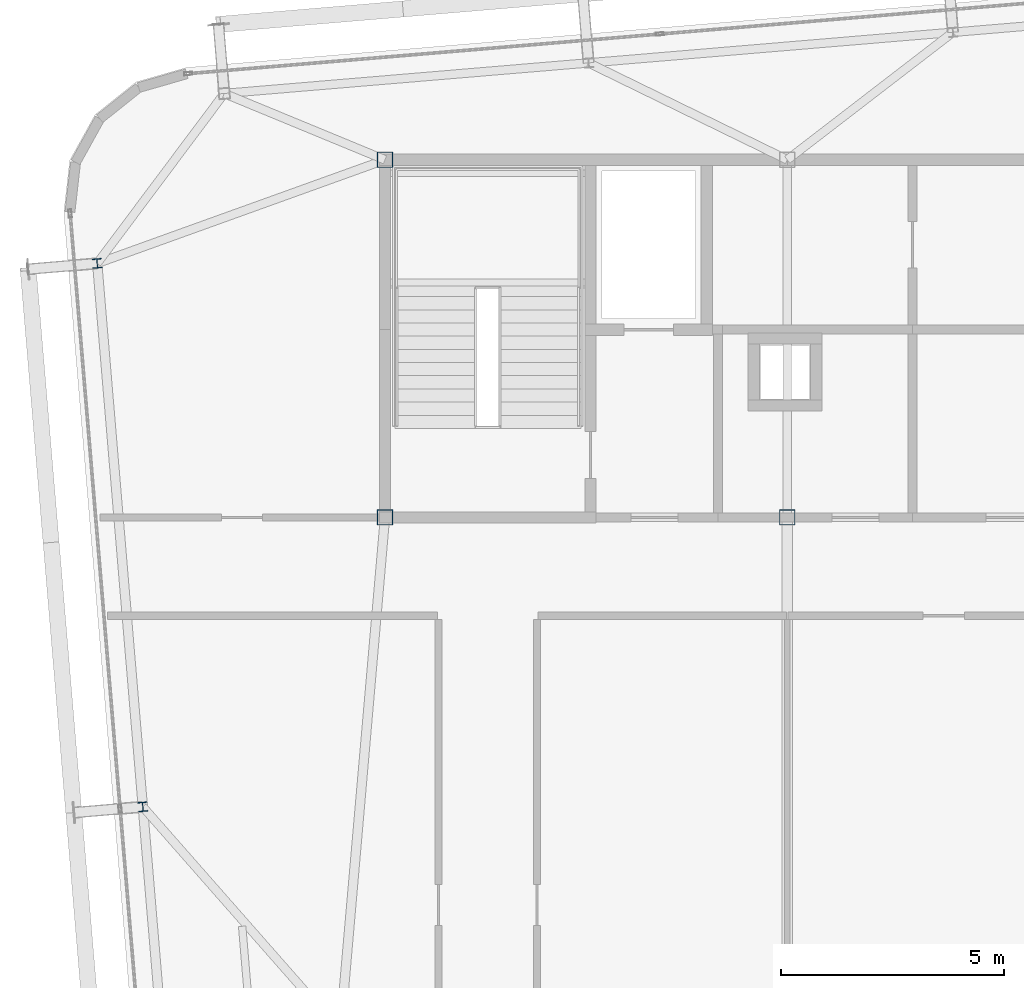
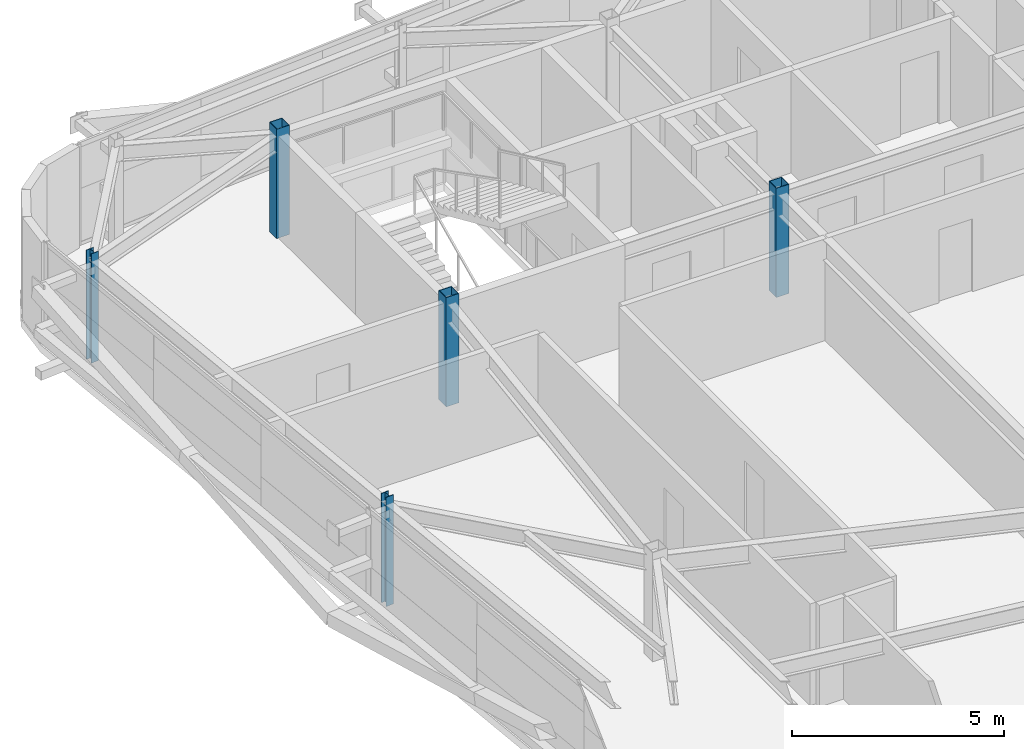
# One storey, part 2 of 37: 5 columns.
"""IFC4 building model written with IfcOpenShell, lengths in metres."""

from ifc_helpers import new_model, si_unit, direction, frame, origin, origin_2d, place, context, subcontext, project, spatial, hollow_rectangle, i_section, extrude, source, transform, mapped, material, material_profile, profile_set, type_object, element, save


model = new_model("IFC4")

# Units and contexts
model_context = context("Model", 3, precision=1e-05, world=origin(), true_north=direction((0.0, 1.0)))
body_context = subcontext(model_context, "Body", "Model", "MODEL_VIEW")
ifc_project = project(units=[si_unit("LENGTHUNIT", "METRE"), si_unit("AREAUNIT", "SQUARE_METRE"), si_unit("VOLUMEUNIT", "CUBIC_METRE"), si_unit("PLANEANGLEUNIT", "RADIAN"), si_unit("MASSUNIT", "GRAM", prefix="KILO")], contexts=[model_context])

# Site, building, storey
site_placement = place(None, origin())
site = spatial("IfcSite", under=ifc_project, at=site_placement, CompositionType="ELEMENT")
building_placement = place(site_placement, origin())
building = spatial("IfcBuilding", under=site, at=building_placement, Name="Taldren Reach Tower", CompositionType="ELEMENT")
storey_placement = place(building_placement, frame((0.0, 0.0, 182.0)))
storey = spatial("IfcBuildingStorey", under=building, at=storey_placement, Name="L55", CompositionType="ELEMENT", Elevation=182.0)

# Columns
ifc_material_1 = material(Name="Steel Gr 450 (C450L0)", Category="steel")
ifc_material_profile_1 = material_profile(ifc_material_1, hollow_rectangle(XDim=0.35009765625, YDim=0.35009765625, WallThickness=0.01611328125, at=origin_2d()), Name="350x350x16.0SHS")
ifc_profile_set_1 = profile_set([ifc_material_profile_1], Name="Steel Gr 450 (C450L0)")
column_type_1 = type_object("IfcColumnType", Name="COL-SHS350", PredefinedType="COLUMN", material=ifc_profile_set_1)
shared_shape_1 = source(origin(), body_context, "Body", "SweptSolid", [
    extrude(hollow_rectangle(XDim=0.35009765625, YDim=0.35009765625, WallThickness=0.01611328125, at=origin_2d()), origin(), (0.0, 0.0, 1.0), 3.14990234375),
])
for number, where, z_axis, x_axis, name in (
    (1, (19.0, 24.0, 0.0), (0.0, 0.0, 1.0), (1.0, 0.0, 0.0), "Mega column MC-C1 L55"),
    (2, (28.0, 24.0, 0.0), (0.0, 0.0, 1.0), (1.0, 0.0, 0.0), "Mega column MC-C2 L55"),
    (3, (19.0, 32.0, 0.0), (0.0, 0.0, 1.0), (1.0, 0.0, 0.0), "Mega column MC-C5 L55"),
):
    element("IfcColumn", number, at=place(storey_placement, frame(where, z_axis=z_axis, x_axis=x_axis)), inside=storey, type_object=column_type_1, Name=name, PredefinedType="COLUMN", context=body_context, shape_type="MappedRepresentation", body=[
        mapped(shared_shape_1, transform((0.0, 0.0, 0.0), scale=1.0)),
    ])
ifc_material_2 = material(Name="Steel Gr 350 (350PLUS)", Category="steel")
ifc_material_profile_2 = material_profile(ifc_material_2, i_section(OverallWidth=0.205078125, OverallDepth=0.2099609375, WebThickness=0.00927734375, FlangeThickness=0.01416015625, at=origin_2d()), Name="200UC59.5")
ifc_profile_set_2 = profile_set([ifc_material_profile_2], Name="Steel Gr 350 (350PLUS)")
column_type_2 = type_object("IfcColumnType", Name="COL-UC200", PredefinedType="COLUMN", material=ifc_profile_set_2)
shared_shape_2 = source(origin(), body_context, "Body", "SweptSolid", [
    extrude(i_section(OverallWidth=0.205078125, OverallDepth=0.2099609375, WebThickness=0.00927734375, FlangeThickness=0.01416015625, at=origin_2d()), origin(), (0.0, 0.0, 1.0), 3.14990234375),
])
for number, where, z_axis, x_axis, name in (
    (4, (13.582763671875, 17.525146484375, 0.0), (0.0, 0.0, 1.0), (0.99649285925, 0.083677843332, 0.0), "Block B4 perimeter column W2 L55"),
    (5, (12.56201171875, 29.682373046875, 0.0), (0.0, 0.0, 1.0), (0.99649285925, 0.083677843332, 0.0), "Block B4 perimeter column W3 L55"),
):
    element("IfcColumn", number, at=place(storey_placement, frame(where, z_axis=z_axis, x_axis=x_axis)), inside=storey, type_object=column_type_2, Name=name, PredefinedType="COLUMN", context=body_context, shape_type="MappedRepresentation", body=[
        mapped(shared_shape_2, transform((0.0, 0.0, 0.0), scale=1.0)),
    ])

save(model, "model.ifc")
